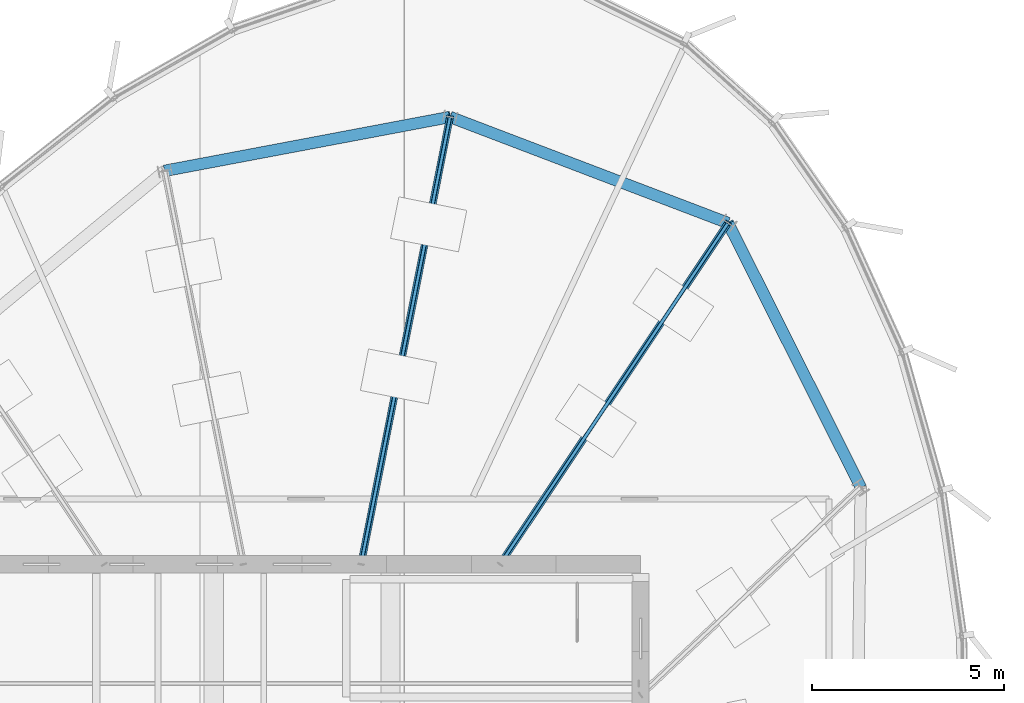
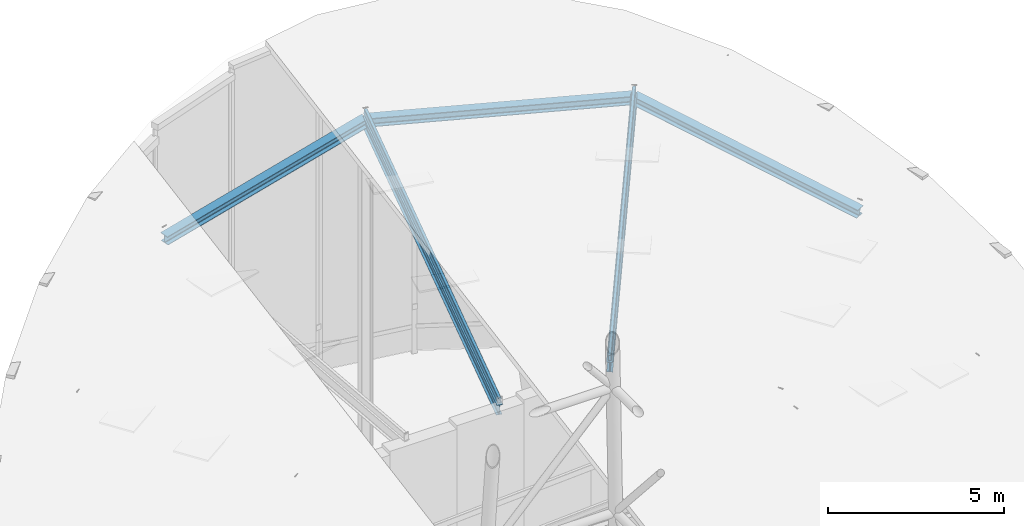
# One storey, part 20 of 36: 5 beams, 2 members.
"""IFC4 building model written with IfcOpenShell, lengths in metres."""

from ifc_helpers import new_model, si_unit, direction, frame, origin, origin_2d, place, context, subcontext, project, spatial, hollow_rectangle, i_section, extrude, source, transform, mapped, material, material_profile, profile_set, type_object, element, save


model = new_model("IFC4")

# Units and contexts
model_context = context("Model", 3, precision=1e-05, world=origin(), true_north=direction((0.0, 1.0)))
body_context = subcontext(model_context, "Body", "Model", "MODEL_VIEW")
ifc_project = project(units=[si_unit("LENGTHUNIT", "METRE"), si_unit("AREAUNIT", "SQUARE_METRE"), si_unit("VOLUMEUNIT", "CUBIC_METRE"), si_unit("PLANEANGLEUNIT", "RADIAN"), si_unit("MASSUNIT", "GRAM", prefix="KILO"), si_unit("THERMODYNAMICTEMPERATUREUNIT", "KELVIN")], contexts=[model_context])

# Site, building, storey
site_placement = place(None, origin())
site = spatial("IfcSite", under=ifc_project, at=site_placement, CompositionType="ELEMENT")
building_placement = place(site_placement, origin())
building = spatial("IfcBuilding", under=site, at=building_placement, Name="Kethvar Cultural Tower", CompositionType="ELEMENT")
storey_placement = place(building_placement, frame((0.0, 0.0, 324.300048828125)))
storey = spatial("IfcBuildingStorey", under=building, at=storey_placement, Name="L86", CompositionType="ELEMENT", Elevation=324.300048828125)

# Beams
ifc_material = material(Name="Steel S355J2", Category="steel")
ifc_material_profile_1 = material_profile(ifc_material, i_section(OverallWidth=0.300048828125, OverallDepth=0.300048828125, WebThickness=0.010986328125, FlangeThickness=0.01904296875, FilletRadius=0.027099609375, at=origin_2d()), Name="Steel S355J2 — HEB300")
ifc_profile_set_1 = profile_set([ifc_material_profile_1], Name="Steel S355J2 — HEB300")
beam_type_1 = type_object("IfcBeamType", Name="BM-SP300", PredefinedType="SPANDREL", material=ifc_profile_set_1)
shared_shape_1 = source(origin(), body_context, "Body", "SweptSolid", [
    extrude(i_section(OverallWidth=0.300048828125, OverallDepth=0.300048828125, WebThickness=0.010986328125, FlangeThickness=0.01904296875, FilletRadius=0.027099609375, at=origin_2d()), origin(), (0.0, 0.0, 1.0), 7.75341796875),
])
beam_1_placement = place(storey_placement, frame((61.32568359375, 37.505859375, 10.14794921875), z_axis=(-0.445028330113, 0.88596314272, 0.130457254062), x_axis=(-0.893599905763, -0.448864354142, 0.0)))
element("IfcBeam", 1, at=beam_1_placement, inside=storey, type_object=beam_type_1, Name="Crown Sloped Eave Ring Beam SP-02", PredefinedType="SPANDREL", context=body_context, shape_type="MappedRepresentation", body=[
    mapped(shared_shape_1, transform((0.0, 0.0, 0.0), scale=1.0)),
])
ifc_material_profile_2 = material_profile(ifc_material, i_section(OverallWidth=0.179931640625, OverallDepth=0.39990234375, WebThickness=0.008544921875, FlangeThickness=0.013427734375, FilletRadius=0.02099609375, at=origin_2d()), Name="Steel S355J2 — IPE400")
ifc_profile_set_2 = profile_set([ifc_material_profile_2], Name="Steel S355J2 — IPE400")
beam_type_2 = type_object("IfcBeamType", Name="BM-IPE400", PredefinedType="BEAM", material=ifc_profile_set_2)
shared_shape_2 = source(origin(), body_context, "Body", "SweptSolid", [
    extrude(i_section(OverallWidth=0.179931640625, OverallDepth=0.39990234375, WebThickness=0.008544921875, FlangeThickness=0.013427734375, FilletRadius=0.02099609375, at=origin_2d()), origin(), (0.0, 0.0, 1.0), 10.841796875),
])
beam_2_placement = place(storey_placement, frame((51.945068359375, 35.5, 9.2587890625), z_axis=(0.546972441438, 0.81858963323, 0.175305905994), x_axis=(-0.831465701314, 0.555576086183, 0.0)))
element("IfcBeam", 2, at=beam_2_placement, inside=storey, type_object=beam_type_2, Name="Crown Sloped Radial Rafter RB-03", PredefinedType="BEAM", context=body_context, shape_type="MappedRepresentation", body=[
    mapped(shared_shape_2, transform((0.0, 0.0, 0.0), scale=1.0)),
])
shared_shape_3 = source(origin(), body_context, "Body", "SweptSolid", [
    extrude(i_section(OverallWidth=0.300048828125, OverallDepth=0.300048828125, WebThickness=0.010986328125, FlangeThickness=0.01904296875, FilletRadius=0.027099609375, at=origin_2d()), origin(), (0.0, 0.0, 1.0), 7.738037109375),
])
beam_3_placement = place(storey_placement, frame((57.875244140625, 44.375, 11.159423828125), z_axis=(-0.934348303899, 0.356241193331, 0.009244413218), x_axis=(-0.356256416347, -0.934388230776, 0.0)))
element("IfcBeam", 3, at=beam_3_placement, inside=storey, type_object=beam_type_1, Name="Crown Sloped Eave Ring Beam SP-03", PredefinedType="SPANDREL", context=body_context, shape_type="MappedRepresentation", body=[
    mapped(shared_shape_3, transform((0.0, 0.0, 0.0), scale=1.0)),
])
shared_shape_4 = source(origin(), body_context, "Body", "SweptSolid", [
    extrude(i_section(OverallWidth=0.179931640625, OverallDepth=0.39990234375, WebThickness=0.008544921875, FlangeThickness=0.013427734375, FilletRadius=0.02099609375, at=origin_2d()), origin(), (0.0, 0.0, 1.0), 12.059326171875),
])
beam_4_placement = place(storey_placement, frame((48.33154296875, 35.5, 9.044677734375), z_axis=(0.191861721901, 0.964531815611, 0.181293839783), x_axis=(-0.980784421377, 0.195094640585, 0.0)))
element("IfcBeam", 4, at=beam_4_placement, inside=storey, type_object=beam_type_2, Name="Crown Sloped Radial Rafter RB-04", PredefinedType="BEAM", context=body_context, shape_type="MappedRepresentation", body=[
    mapped(shared_shape_4, transform((0.0, 0.0, 0.0), scale=1.0)),
])
shared_shape_5 = source(origin(), body_context, "Body", "SweptSolid", [
    extrude(i_section(OverallWidth=0.300048828125, OverallDepth=0.300048828125, WebThickness=0.010986328125, FlangeThickness=0.01904296875, FilletRadius=0.027099609375, at=origin_2d()), origin(), (0.0, 0.0, 1.0), 7.572998046875),
])
beam_5_placement = place(storey_placement, frame((50.645263671875, 47.131591796875, 11.23095703125), z_axis=(-0.97879438859, -0.18475908702, -0.088462560597), x_axis=(0.185486285532, -0.982646853086, 0.0)))
element("IfcBeam", 5, at=beam_5_placement, inside=storey, type_object=beam_type_1, Name="Crown Sloped Eave Ring Beam SP-04", PredefinedType="SPANDREL", context=body_context, shape_type="MappedRepresentation", body=[
    mapped(shared_shape_5, transform((0.0, 0.0, 0.0), scale=1.0)),
])

# Members
ifc_material_profile_3 = material_profile(ifc_material, hollow_rectangle(XDim=0.10009765625, YDim=0.199951171875, WallThickness=0.008056640625, InnerFilletRadius=0.008056640625, OuterFilletRadius=0.01611328125, at=origin_2d()), Name="Steel S355J2 — RHS200x100x8")
ifc_profile_set_3 = profile_set([ifc_material_profile_3], Name="Steel S355J2 — RHS200x100x8")
member_type = type_object("IfcMemberType", Name="MB-GLAZ-200", PredefinedType="PURLIN", material=ifc_profile_set_3)
shared_shape_6 = source(origin(), body_context, "Body", "SweptSolid", [
    extrude(hollow_rectangle(XDim=0.10009765625, YDim=0.199951171875, WallThickness=0.008056640625, InnerFilletRadius=0.008056640625, OuterFilletRadius=0.01611328125, at=origin_2d()), origin(), (0.0, 0.0, 1.0), 10.841796875),
])
member_1_placement = place(storey_placement, frame((51.945068359375, 35.5, 9.578857421875), z_axis=(0.546972441438, 0.81858963323, 0.175305905994), x_axis=(-0.831465701314, 0.555576086183, 0.0)))
element("IfcMember", 6, at=member_1_placement, inside=storey, type_object=member_type, Name="Sloped Crown Skylight Glazing Mullion Bar GB-03", PredefinedType="PURLIN", context=body_context, shape_type="MappedRepresentation", body=[
    mapped(shared_shape_6, transform((0.0, 0.0, 0.0), scale=1.0)),
])
shared_shape_7 = source(origin(), body_context, "Body", "SweptSolid", [
    extrude(hollow_rectangle(XDim=0.10009765625, YDim=0.199951171875, WallThickness=0.008056640625, InnerFilletRadius=0.008056640625, OuterFilletRadius=0.01611328125, at=origin_2d()), origin(), (0.0, 0.0, 1.0), 12.057861328125),
])
member_2_placement = place(storey_placement, frame((48.33154296875, 35.5, 9.372314453125), z_axis=(0.191883517669, 0.964641387814, 0.180686769197), x_axis=(-0.980784421377, 0.195094640585, 0.0)))
element("IfcMember", 7, at=member_2_placement, inside=storey, type_object=member_type, Name="Sloped Crown Skylight Glazing Mullion Bar GB-04", PredefinedType="PURLIN", context=body_context, shape_type="MappedRepresentation", body=[
    mapped(shared_shape_7, transform((0.0, 0.0, 0.0), scale=1.0)),
])

save(model, "model.ifc")
